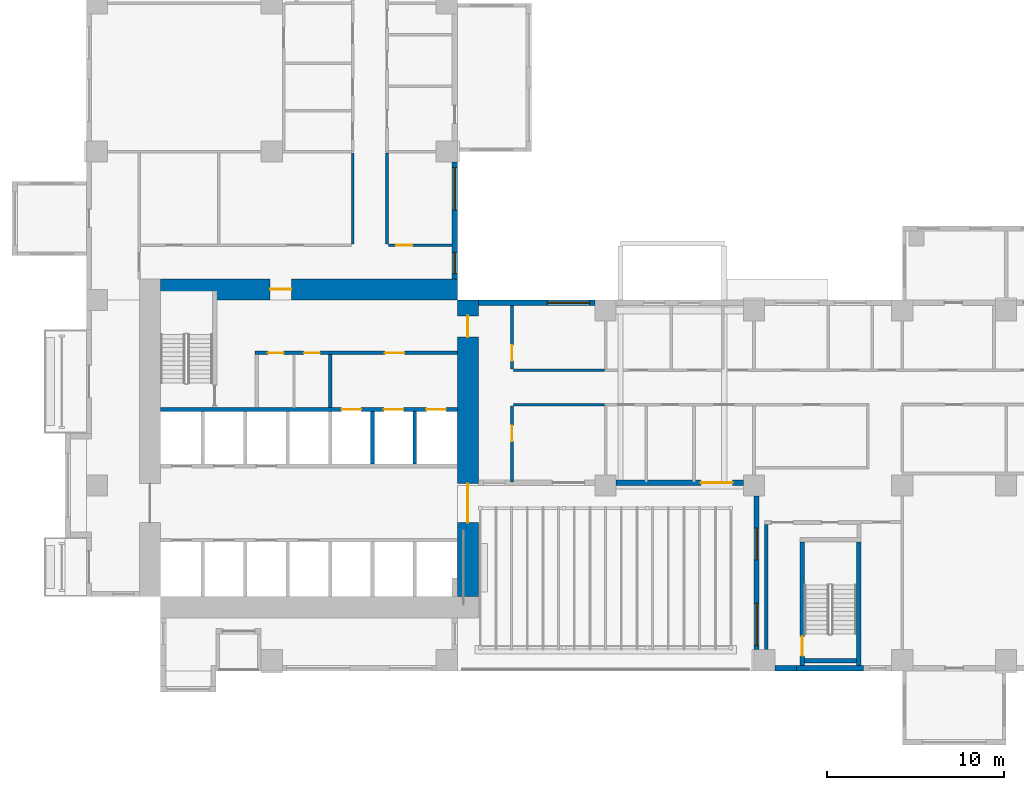
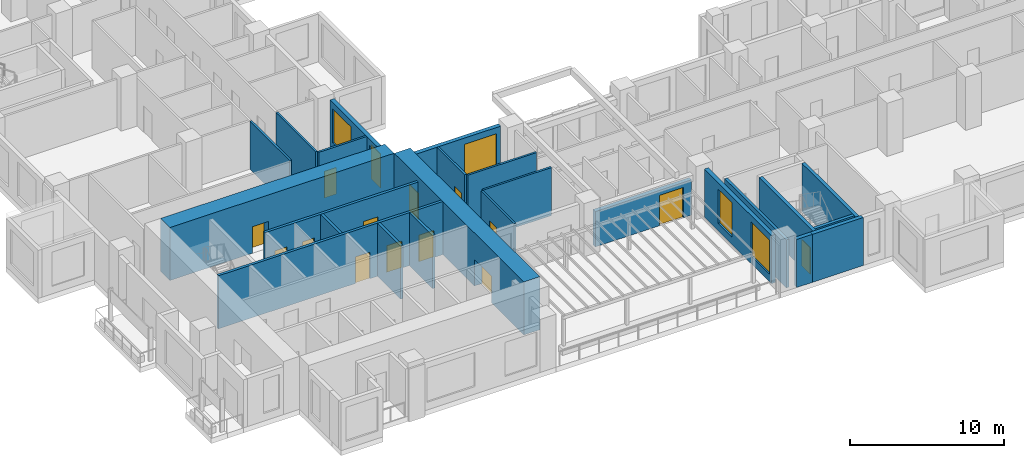
# One storey, part 5 of 17: 24 walls, 14 doors, 5 windows, 19 openings.
"""IFC4 building model written with IfcOpenShell, lengths in metres."""

from ifc_helpers import new_model, si_unit, direction, frame, frame_2d, origin, place, context, subcontext, project, spatial, rectangle, extrude, source, transform, mapped, material, layer, layer_set, type_object, element, fill, save


model = new_model("IFC4")

# Units and contexts
model_context = context("Model", 3, precision=1e-05, world=origin(), true_north=direction((0.0, 1.0)))
body_context = subcontext(model_context, "Body", "Model", "MODEL_VIEW")
ifc_project = project(units=[si_unit("LENGTHUNIT", "METRE"), si_unit("AREAUNIT", "SQUARE_METRE"), si_unit("VOLUMEUNIT", "CUBIC_METRE"), si_unit("PLANEANGLEUNIT", "RADIAN"), si_unit("MASSUNIT", "GRAM", prefix="KILO")], contexts=[model_context])

# Site, building, storey
site_placement = place(None, origin())
site = spatial("IfcSite", under=ifc_project, at=site_placement, CompositionType="ELEMENT")
building_placement = place(site_placement, origin())
building = spatial("IfcBuilding", under=site, at=building_placement, Name="Aurelian Terraces", CompositionType="ELEMENT")
storey_placement = place(building_placement, frame((0.0, 0.0, 48.9)))
storey = spatial("IfcBuildingStorey", under=building, at=storey_placement, Name="L09", CompositionType="ELEMENT", Elevation=48.9)

# Wall, opening, door
ifc_material_1 = material(Name="Terracotta rainscreen cladding", Category="masonry")
ifc_layer_1 = layer(ifc_material_1, 0.3)
ifc_layer_set_1 = layer_set([ifc_layer_1], Name="EW-300")
wall_type_1 = type_object("IfcWallType", Name="EW-300", PredefinedType="STANDARD", material=ifc_layer_set_1)
wall_1_placement = place(storey_placement, frame((30.0, 10.65, 0.0), z_axis=(0.0, 0.0, 1.0), x_axis=(1.0, 0.0, 0.0)))
wall_1 = element("IfcWall", 1, at=wall_1_placement, inside=storey, type_object=wall_type_1, Name="External wall L09 F03.7", PredefinedType="STANDARD", context=body_context, shape_type="SweptSolid", body=[
    extrude(rectangle(XDim=7.2, YDim=0.3, at=frame_2d((3.6, 0.0))), origin(), (0.0, 0.0, 1.0), 2.8),
])
shared_shape_1 = source(origin(), body_context, "Body", "SweptSolid", [
    extrude(rectangle(XDim=1.8, YDim=2.4, at=frame_2d((0.9, 1.2))), frame((0.0, 0.16, 0.0), z_axis=(0.0, -1.0, 0.0), x_axis=(1.0, 0.0, 0.0)), (0.0, 0.0, 1.0), 0.32),
])
opening_1_placement = place(wall_1_placement, frame((4.8, 0.0, 0.0)))
opening_1 = element("IfcOpeningElement", 2, at=opening_1_placement, cuts=wall_1, Name="Opening 80903", PredefinedType="OPENING", context=body_context, shape_type="MappedRepresentation", body=[
    mapped(shared_shape_1, transform((0.0, 0.0, 0.0), scale=1.0)),
])
ifc_material_2 = material(Name="Clear glazing", Category="glass")
door_type_1 = type_object("IfcDoorType", Name="BD-1800x2400", OperationType="SLIDING_TO_LEFT", PredefinedType="DOOR", material=ifc_material_2)
shared_shape_2 = source(origin(), body_context, "Body", "SweptSolid", [
    extrude(rectangle(XDim=1.8, YDim=2.4, at=frame_2d((0.9, 1.2))), frame((0.0, 0.025, 0.0), z_axis=(0.0, -1.0, 0.0), x_axis=(1.0, 0.0, 0.0)), (0.0, 0.0, 1.0), 0.05),
])
door_1_placement = place(opening_1_placement, origin())
door_1 = element("IfcDoor", 3, at=door_1_placement, inside=storey, type_object=door_type_1, Name="Terrace door L09 L09-F03-07.2", OperationType="SLIDING_TO_LEFT", OverallHeight=2.4, OverallWidth=1.8, PredefinedType="DOOR", context=body_context, shape_type="MappedRepresentation", body=[
    mapped(shared_shape_2, transform((0.0, 0.0, 0.0), scale=1.0)),
])
fill(opening_1, door_1)

ifc_material_3 = material(Name="Gypsum board on steel studs", Category="steel")
ifc_layer_2 = layer(ifc_material_3, 0.15)
ifc_layer_set_2 = layer_set([ifc_layer_2], Name="Partition 150")
wall_type_2 = type_object("IfcWallType", Name="Partition 150", PredefinedType="PARTITIONING", material=ifc_layer_set_2)
wall_2_placement = place(storey_placement, frame((24.1, 15.0, 0.0), z_axis=(0.0, 0.0, 1.0), x_axis=(0.0, -1.0, 0.0)))
wall_2 = element("IfcWall", 4, at=wall_2_placement, inside=storey, type_object=wall_type_2, Name="Partition", PredefinedType="PARTITIONING", context=body_context, shape_type="SweptSolid", body=[
    extrude(rectangle(XDim=4.295, YDim=0.15, at=frame_2d((2.1475, 0.0))), origin(), (0.0, 0.0, 1.0), 3.8),
])
shared_shape_3 = source(origin(), body_context, "Body", "SweptSolid", [
    extrude(rectangle(XDim=0.9, YDim=2.1, at=frame_2d((0.45, 1.05))), frame((0.0, 0.085, 0.0), z_axis=(0.0, -1.0, 0.0), x_axis=(1.0, 0.0, 0.0)), (0.0, 0.0, 1.0), 0.17),
])
opening_2_placement = place(wall_2_placement, frame((1.1125, 0.0, 0.0)))
opening_2 = element("IfcOpeningElement", 5, at=opening_2_placement, cuts=wall_2, Name="Opening 709001", PredefinedType="OPENING", context=body_context, shape_type="MappedRepresentation", body=[
    mapped(shared_shape_3, transform((0.0, 0.0, 0.0), scale=1.0)),
])
ifc_material_4 = material(Name="Timber door leaf", Category="wood")
door_type_2 = type_object("IfcDoorType", Name="Room door 900x2100 left", OperationType="SINGLE_SWING_LEFT", PredefinedType="DOOR", material=ifc_material_4)
shared_shape_4 = source(origin(), body_context, "Body", "SweptSolid", [
    extrude(rectangle(XDim=0.9, YDim=2.1, at=frame_2d((0.45, 1.05))), frame((0.0, 0.025, 0.0), z_axis=(0.0, -1.0, 0.0), x_axis=(1.0, 0.0, 0.0)), (0.0, 0.0, 1.0), 0.05),
])
door_2_placement = place(opening_2_placement, origin())
door_2 = element("IfcDoor", 6, at=door_2_placement, inside=storey, type_object=door_type_2, Name="Door 709001", OperationType="SINGLE_SWING_LEFT", OverallHeight=2.1, OverallWidth=0.9, PredefinedType="DOOR", context=body_context, shape_type="MappedRepresentation", body=[
    mapped(shared_shape_4, transform((0.0, 0.0, 0.0), scale=1.0)),
])
fill(opening_2, door_2)

# Wall, openings, doors
ifc_material_5 = material(Name="Concrete fc' 83 MPa", Category="concrete")
ifc_layer_3 = layer(ifc_material_5, 1.2)
ifc_layer_set_3 = layer_set([ifc_layer_3], Name="CORE WALL 1200 FC83")
wall_type_3 = type_object("IfcWallType", Name="CORE WALL 1200 FC83", PredefinedType="SHEAR", material=ifc_layer_set_3)
shared_shape_5 = source(origin(), body_context, "Body", "SweptSolid", [
    extrude(rectangle(XDim=16.8, YDim=1.2, at=frame_2d((8.4, 0.0))), origin(), (0.0, 0.0, 1.0), 4.2),
])
wall_3_placement = place(storey_placement, frame((21.6, 4.2, 0.0), z_axis=(0.0, 0.0, 1.0), x_axis=(0.0, 1.0, 0.0)))
wall_3 = element("IfcWall", 7, at=wall_3_placement, inside=storey, type_object=wall_type_3, Name="Core wall E L09", PredefinedType="SHEAR", context=body_context, shape_type="MappedRepresentation", body=[
    mapped(shared_shape_5, transform((0.0, 0.0, 0.0), scale=1.0)),
])
shared_shape_6 = source(origin(), body_context, "Body", "SweptSolid", [
    extrude(rectangle(XDim=2.2, YDim=2.1, at=frame_2d((1.1, 1.05))), frame((0.0, 0.61, 0.0), z_axis=(0.0, -1.0, 0.0), x_axis=(1.0, 0.0, 0.0)), (0.0, 0.0, 1.0), 1.22),
])
opening_3_placement = place(wall_3_placement, frame((4.2, 0.0, 0.0)))
opening_3 = element("IfcOpeningElement", 8, at=opening_3_placement, cuts=wall_3, Name="Opening 61220", PredefinedType="OPENING", context=body_context, shape_type="MappedRepresentation", body=[
    mapped(shared_shape_6, transform((0.0, 0.0, 0.0), scale=1.0)),
])
shared_shape_7 = source(origin(), body_context, "Body", "SweptSolid", [
    extrude(rectangle(XDim=1.2, YDim=2.1, at=frame_2d((0.6, 1.05))), frame((0.0, 0.61, 0.0), z_axis=(0.0, -1.0, 0.0), x_axis=(1.0, 0.0, 0.0)), (0.0, 0.0, 1.0), 1.22),
])
opening_4_placement = place(wall_3_placement, frame((14.7, 0.0, 0.0)))
opening_4 = element("IfcOpeningElement", 9, at=opening_4_placement, cuts=wall_3, Name="Opening 61223", PredefinedType="OPENING", context=body_context, shape_type="MappedRepresentation", body=[
    mapped(shared_shape_7, transform((0.0, 0.0, 0.0), scale=1.0)),
])
ifc_material_6 = material(Name="Steel door leaf", Category="steel")
door_type_3 = type_object("IfcDoorType", Name="Core fire door 1200x2100 right", OperationType="SINGLE_SWING_RIGHT", PredefinedType="DOOR", material=ifc_material_6)
shared_shape_8 = source(origin(), body_context, "Body", "SweptSolid", [
    extrude(rectangle(XDim=1.2, YDim=2.1, at=frame_2d((0.6, 1.05))), frame((0.0, 0.025, 0.0), z_axis=(0.0, -1.0, 0.0), x_axis=(1.0, 0.0, 0.0)), (0.0, 0.0, 1.0), 0.05),
])
door_3_placement = place(opening_4_placement, origin())
door_3 = element("IfcDoor", 10, at=door_3_placement, inside=storey, type_object=door_type_3, Name="Core door 61223", OperationType="SINGLE_SWING_RIGHT", OverallHeight=2.1, OverallWidth=1.2, PredefinedType="DOOR", context=body_context, shape_type="MappedRepresentation", body=[
    mapped(shared_shape_8, transform((0.0, 0.0, 0.0), scale=1.0)),
])
fill(opening_4, door_3)
door_type_4 = type_object("IfcDoorType", Name="Core double door 2200x2100", OperationType="DOUBLE_DOOR_SINGLE_SWING", PredefinedType="DOOR", material=ifc_material_6)
shared_shape_9 = source(origin(), body_context, "Body", "SweptSolid", [
    extrude(rectangle(XDim=2.2, YDim=2.1, at=frame_2d((1.1, 1.05))), frame((0.0, 0.025, 0.0), z_axis=(0.0, -1.0, 0.0), x_axis=(1.0, 0.0, 0.0)), (0.0, 0.0, 1.0), 0.05),
])
door_4_placement = place(opening_3_placement, origin())
door_4 = element("IfcDoor", 11, at=door_4_placement, inside=storey, type_object=door_type_4, Name="Core door 61220", OperationType="DOUBLE_DOOR_SINGLE_SWING", OverallHeight=2.1, OverallWidth=2.2, PredefinedType="DOOR", context=body_context, shape_type="MappedRepresentation", body=[
    mapped(shared_shape_9, transform((0.0, 0.0, 0.0), scale=1.0)),
])
fill(opening_3, door_4)

# Wall, opening, door
wall_4_placement = place(storey_placement, frame((4.2, 21.6, 0.0), z_axis=(0.0, 0.0, 1.0), x_axis=(1.0, 0.0, 0.0)))
wall_4 = element("IfcWall", 12, at=wall_4_placement, inside=storey, type_object=wall_type_3, Name="Core wall N L09", PredefinedType="SHEAR", context=body_context, shape_type="MappedRepresentation", body=[
    mapped(shared_shape_5, transform((0.0, 0.0, 0.0), scale=1.0)),
])
opening_5_placement = place(wall_4_placement, frame((6.2, 0.0, 0.0)))
opening_5 = element("IfcOpeningElement", 13, at=opening_5_placement, cuts=wall_4, Name="Opening 61222", PredefinedType="OPENING", context=body_context, shape_type="MappedRepresentation", body=[
    mapped(shared_shape_7, transform((0.0, 0.0, 0.0), scale=1.0)),
])
door_type_5 = type_object("IfcDoorType", Name="Core fire door 1200x2100", OperationType="SINGLE_SWING_LEFT", PredefinedType="DOOR", material=ifc_material_6)
door_5_placement = place(opening_5_placement, origin())
door_5 = element("IfcDoor", 14, at=door_5_placement, inside=storey, type_object=door_type_5, Name="Core door 61222", OperationType="SINGLE_SWING_LEFT", OverallHeight=2.1, OverallWidth=1.2, PredefinedType="DOOR", context=body_context, shape_type="MappedRepresentation", body=[
    mapped(shared_shape_8, transform((0.0, 0.0, 0.0), scale=1.0)),
])
fill(opening_5, door_5)

# Walls
shared_shape_10 = source(origin(), body_context, "Body", "SweptSolid", [
    extrude(rectangle(XDim=1.2, YDim=0.3, at=frame_2d((0.6, 0.0))), origin(), (0.0, 0.0, 1.0), 3.8),
])
wall_5_placement = place(storey_placement, frame((39.0, 0.15, 0.0), z_axis=(0.0, 0.0, 1.0), x_axis=(1.0, 0.0, 0.0)))
element("IfcWall", 15, at=wall_5_placement, inside=storey, type_object=wall_type_1, Name="External wall L09 F05.9", PredefinedType="STANDARD", context=body_context, shape_type="MappedRepresentation", body=[
    mapped(shared_shape_10, transform((0.0, 0.0, 0.0), scale=1.0)),
])
ifc_material_7 = material(Name="Concrete fc' 40 MPa", Category="concrete")
ifc_layer_4 = layer(ifc_material_7, 0.3)
ifc_layer_set_4 = layer_set([ifc_layer_4], Name="STAIR BAY WALL 300")
wall_type_4 = type_object("IfcWallType", Name="STAIR BAY WALL 300", PredefinedType="SOLIDWALL", material=ifc_layer_set_4)
shared_shape_11 = source(origin(), body_context, "Body", "SweptSolid", [
    extrude(rectangle(XDim=3.8, YDim=0.3, at=frame_2d((1.9, 0.0))), origin(), (0.0, 0.0, 1.0), 3.8),
])
wall_6_placement = place(storey_placement, frame((40.2, 0.15, 0.0), z_axis=(0.0, 0.0, 1.0), x_axis=(1.0, 0.0, 0.0)))
element("IfcWall", 16, at=wall_6_placement, inside=storey, type_object=wall_type_4, Name="Stair bay wall L09 F05.9", PredefinedType="SOLIDWALL", context=body_context, shape_type="MappedRepresentation", body=[
    mapped(shared_shape_11, transform((0.0, 0.0, 0.0), scale=1.0)),
])

# Wall, opening, window
shared_shape_12 = source(origin(), body_context, "Body", "SweptSolid", [
    extrude(rectangle(XDim=6.6, YDim=0.3, at=frame_2d((3.3, 0.0))), origin(), (0.0, 0.0, 1.0), 3.8),
])
wall_7_placement = place(storey_placement, frame((28.8, 20.85, 0.0), z_axis=(0.0, 0.0, 1.0), x_axis=(-1.0, 0.0, 0.0)))
wall_7 = element("IfcWall", 17, at=wall_7_placement, inside=storey, type_object=wall_type_1, Name="External wall L09 F11.25", PredefinedType="STANDARD", context=body_context, shape_type="MappedRepresentation", body=[
    mapped(shared_shape_12, transform((0.0, 0.0, 0.0), scale=1.0)),
])
shared_shape_13 = source(origin(), body_context, "Body", "SweptSolid", [
    extrude(rectangle(XDim=2.4, YDim=2.7, at=frame_2d((1.2, 1.35))), frame((0.0, 0.16, 0.0), z_axis=(0.0, -1.0, 0.0), x_axis=(1.0, 0.0, 0.0)), (0.0, 0.0, 1.0), 0.32),
])
opening_6_placement = place(wall_7_placement, frame((0.3, 0.0, 0.6)))
opening_6 = element("IfcOpeningElement", 18, at=opening_6_placement, cuts=wall_7, Name="Opening W2427", PredefinedType="OPENING", context=body_context, shape_type="MappedRepresentation", body=[
    mapped(shared_shape_13, transform((0.0, 0.0, 0.0), scale=1.0)),
])
window_type_1 = type_object("IfcWindowType", Name="W-2400x2700", PartitioningType="SINGLE_PANEL", PredefinedType="WINDOW", material=ifc_material_2)
shared_shape_14 = source(origin(), body_context, "Body", "SweptSolid", [
    extrude(rectangle(XDim=2.4, YDim=2.7, at=frame_2d((1.2, 1.35))), frame((0.0, 0.03, 0.0), z_axis=(0.0, -1.0, 0.0), x_axis=(1.0, 0.0, 0.0)), (0.0, 0.0, 1.0), 0.06),
])
window_1_placement = place(opening_6_placement, origin())
window_1 = element("IfcWindow", 19, at=window_1_placement, inside=storey, type_object=window_type_1, Name="Window L09 L09-F11-25-3", OverallHeight=2.7, OverallWidth=2.4, PartitioningType="SINGLE_PANEL", PredefinedType="WINDOW", context=body_context, shape_type="MappedRepresentation", body=[
    mapped(shared_shape_14, transform((0.0, 0.0, 0.0), scale=1.0)),
])
fill(opening_6, window_1)

# Wall, openings, windows
wall_8_placement = place(storey_placement, frame((20.85, 22.2, 0.0), z_axis=(0.0, 0.0, 1.0), x_axis=(0.0, 1.0, 0.0)))
wall_8 = element("IfcWall", 20, at=wall_8_placement, inside=storey, type_object=wall_type_1, Name="External wall L09 F12.26", PredefinedType="STANDARD", context=body_context, shape_type="MappedRepresentation", body=[
    mapped(shared_shape_12, transform((0.0, 0.0, 0.0), scale=1.0)),
])
shared_shape_15 = source(origin(), body_context, "Body", "SweptSolid", [
    extrude(rectangle(XDim=1.2, YDim=2.7, at=frame_2d((0.6, 1.35))), frame((0.0, 0.16, 0.0), z_axis=(0.0, -1.0, 0.0), x_axis=(1.0, 0.0, 0.0)), (0.0, 0.0, 1.0), 0.32),
])
opening_7_placement = place(wall_8_placement, frame((0.3, 0.0, 0.6)))
opening_7 = element("IfcOpeningElement", 21, at=opening_7_placement, cuts=wall_8, Name="Opening W1227", PredefinedType="OPENING", context=body_context, shape_type="MappedRepresentation", body=[
    mapped(shared_shape_15, transform((0.0, 0.0, 0.0), scale=1.0)),
])
opening_8_placement = place(wall_8_placement, frame((3.9, 0.0, 0.6)))
opening_8 = element("IfcOpeningElement", 22, at=opening_8_placement, cuts=wall_8, Name="Opening W2427", PredefinedType="OPENING", context=body_context, shape_type="MappedRepresentation", body=[
    mapped(shared_shape_13, transform((0.0, 0.0, 0.0), scale=1.0)),
])
window_2_placement = place(opening_8_placement, origin())
window_2 = element("IfcWindow", 23, at=window_2_placement, inside=storey, type_object=window_type_1, Name="Window L09 L09-F12-26-1", OverallHeight=2.7, OverallWidth=2.4, PartitioningType="SINGLE_PANEL", PredefinedType="WINDOW", context=body_context, shape_type="MappedRepresentation", body=[
    mapped(shared_shape_14, transform((0.0, 0.0, 0.0), scale=1.0)),
])
fill(opening_8, window_2)
window_type_2 = type_object("IfcWindowType", Name="W-1200x2700", PartitioningType="SINGLE_PANEL", PredefinedType="WINDOW", material=ifc_material_2)
shared_shape_16 = source(origin(), body_context, "Body", "SweptSolid", [
    extrude(rectangle(XDim=1.2, YDim=2.7, at=frame_2d((0.6, 1.35))), frame((0.0, 0.03, 0.0), z_axis=(0.0, -1.0, 0.0), x_axis=(1.0, 0.0, 0.0)), (0.0, 0.0, 1.0), 0.06),
])
window_3_placement = place(opening_7_placement, origin())
window_3 = element("IfcWindow", 24, at=window_3_placement, inside=storey, type_object=window_type_2, Name="Window L09 L09-F12-26-0", OverallHeight=2.7, OverallWidth=1.2, PartitioningType="SINGLE_PANEL", PredefinedType="WINDOW", context=body_context, shape_type="MappedRepresentation", body=[
    mapped(shared_shape_16, transform((0.0, 0.0, 0.0), scale=1.0)),
])
fill(opening_7, window_3)

shared_shape_17 = source(origin(), body_context, "Body", "SweptSolid", [
    extrude(rectangle(XDim=8.7, YDim=0.3, at=frame_2d((4.35, 0.0))), origin(), (0.0, 0.0, 1.0), 3.8),
])
wall_9_placement = place(storey_placement, frame((37.95, 9.9, 0.0), z_axis=(0.0, 0.0, 1.0), x_axis=(0.0, -1.0, 0.0)))
wall_9 = element("IfcWall", 25, at=wall_9_placement, inside=storey, type_object=wall_type_1, Name="External wall L09 F04.8", PredefinedType="STANDARD", context=body_context, shape_type="MappedRepresentation", body=[
    mapped(shared_shape_17, transform((0.0, 0.0, 0.0), scale=1.0)),
])
shared_shape_18 = source(origin(), body_context, "Body", "SweptSolid", [
    extrude(rectangle(XDim=1.8, YDim=2.7, at=frame_2d((0.9, 1.35))), frame((0.0, 0.16, 0.0), z_axis=(0.0, -1.0, 0.0), x_axis=(1.0, 0.0, 0.0)), (0.0, 0.0, 1.0), 0.32),
])
opening_9_placement = place(wall_9_placement, frame((1.8125, 0.0, 0.6)))
opening_9 = element("IfcOpeningElement", 26, at=opening_9_placement, cuts=wall_9, Name="Opening W1827", PredefinedType="OPENING", context=body_context, shape_type="MappedRepresentation", body=[
    mapped(shared_shape_18, transform((0.0, 0.0, 0.0), scale=1.0)),
])
opening_10_placement = place(wall_9_placement, frame((6.075, 0.0, 0.6)))
opening_10 = element("IfcOpeningElement", 27, at=opening_10_placement, cuts=wall_9, Name="Opening W2427", PredefinedType="OPENING", context=body_context, shape_type="MappedRepresentation", body=[
    mapped(shared_shape_13, transform((0.0, 0.0, 0.0), scale=1.0)),
])
window_4_placement = place(opening_10_placement, origin())
window_4 = element("IfcWindow", 28, at=window_4_placement, inside=storey, type_object=window_type_1, Name="Window L09 L09-F04-08-1", OverallHeight=2.7, OverallWidth=2.4, PartitioningType="SINGLE_PANEL", PredefinedType="WINDOW", context=body_context, shape_type="MappedRepresentation", body=[
    mapped(shared_shape_14, transform((0.0, 0.0, 0.0), scale=1.0)),
])
fill(opening_10, window_4)
window_type_3 = type_object("IfcWindowType", Name="W-1800x2700", PartitioningType="SINGLE_PANEL", PredefinedType="WINDOW", material=ifc_material_2)
shared_shape_19 = source(origin(), body_context, "Body", "SweptSolid", [
    extrude(rectangle(XDim=1.8, YDim=2.7, at=frame_2d((0.9, 1.35))), frame((0.0, 0.03, 0.0), z_axis=(0.0, -1.0, 0.0), x_axis=(1.0, 0.0, 0.0)), (0.0, 0.0, 1.0), 0.06),
])
window_5_placement = place(opening_9_placement, origin())
window_5 = element("IfcWindow", 29, at=window_5_placement, inside=storey, type_object=window_type_3, Name="Window L09 L09-F04-08-0", OverallHeight=2.7, OverallWidth=1.8, PartitioningType="SINGLE_PANEL", PredefinedType="WINDOW", context=body_context, shape_type="MappedRepresentation", body=[
    mapped(shared_shape_19, transform((0.0, 0.0, 0.0), scale=1.0)),
])
fill(opening_9, window_5)

# Walls
ifc_layer_5 = layer(ifc_material_7, 0.2)
ifc_layer_set_5 = layer_set([ifc_layer_5], Name="Lift shaft wall 200")
wall_type_5 = type_object("IfcWallType", Name="Lift shaft wall 200", PredefinedType="SOLIDWALL", material=ifc_layer_set_5)
shared_shape_20 = source(origin(), body_context, "Body", "SweptSolid", [
    extrude(rectangle(XDim=3.0, YDim=0.2, at=frame_2d((1.5, 0.0))), origin(), (0.0, 0.0, 1.0), 4.2),
])
for number, where, z_axis, x_axis, name in (
    (30, (16.2, 11.7, 0.0), (0.0, 0.0, 1.0), (0.0, 1.0, 0.0), "L09 core wall CD-B5"),
    (31, (18.6, 11.7, 0.0), (0.0, 0.0, 1.0), (0.0, 1.0, 0.0), "L09 core wall CD-B6"),
):
    element("IfcWall", number, at=place(storey_placement, frame(where, z_axis=z_axis, x_axis=x_axis)), inside=storey, type_object=wall_type_5, Name=name, PredefinedType="SOLIDWALL", context=body_context, shape_type="MappedRepresentation", body=[
        mapped(shared_shape_20, transform((0.0, 0.0, 0.0), scale=1.0)),
    ])

# Wall, openings, doors
shared_shape_21 = source(origin(), body_context, "Body", "SweptSolid", [
    extrude(rectangle(XDim=16.8, YDim=0.2, at=frame_2d((8.4, 0.0))), origin(), (0.0, 0.0, 1.0), 4.2),
])
wall_10_placement = place(storey_placement, frame((4.2, 14.8, 0.0), z_axis=(0.0, 0.0, 1.0), x_axis=(1.0, 0.0, 0.0)))
wall_10 = element("IfcWall", 32, at=wall_10_placement, inside=storey, type_object=wall_type_5, Name="L09 core wall CF-BB1", PredefinedType="SOLIDWALL", context=body_context, shape_type="MappedRepresentation", body=[
    mapped(shared_shape_21, transform((0.0, 0.0, 0.0), scale=1.0)),
])
shared_shape_22 = source(origin(), body_context, "Body", "SweptSolid", [
    extrude(rectangle(XDim=1.1, YDim=2.1, at=frame_2d((0.55, 1.05))), frame((0.0, 0.11, 0.0), z_axis=(0.0, -1.0, 0.0), x_axis=(1.0, 0.0, 0.0)), (0.0, 0.0, 1.0), 0.22),
])
opening_11_placement = place(wall_10_placement, frame((10.25, 0.0, 0.0)))
opening_11 = element("IfcOpeningElement", 33, at=opening_11_placement, cuts=wall_10, Name="Opening 61207", PredefinedType="OPENING", context=body_context, shape_type="MappedRepresentation", body=[
    mapped(shared_shape_22, transform((0.0, 0.0, 0.0), scale=1.0)),
])
opening_12_placement = place(wall_10_placement, frame((12.65, 0.0, 0.0)))
opening_12 = element("IfcOpeningElement", 34, at=opening_12_placement, cuts=wall_10, Name="Opening 61208", PredefinedType="OPENING", context=body_context, shape_type="MappedRepresentation", body=[
    mapped(shared_shape_22, transform((0.0, 0.0, 0.0), scale=1.0)),
])
opening_13_placement = place(wall_10_placement, frame((15.05, 0.0, 0.0)))
opening_13 = element("IfcOpeningElement", 35, at=opening_13_placement, cuts=wall_10, Name="Opening 61209", PredefinedType="OPENING", context=body_context, shape_type="MappedRepresentation", body=[
    mapped(shared_shape_22, transform((0.0, 0.0, 0.0), scale=1.0)),
])
ifc_material_8 = material(Name="Stainless steel", Category="steel")
door_type_6 = type_object("IfcDoorType", Name="Lift landing door 1100x2100", OperationType="SLIDING_TO_LEFT", PredefinedType="DOOR", material=ifc_material_8)
shared_shape_23 = source(origin(), body_context, "Body", "SweptSolid", [
    extrude(rectangle(XDim=1.1, YDim=2.1, at=frame_2d((0.55, 1.05))), frame((0.0, 0.025, 0.0), z_axis=(0.0, -1.0, 0.0), x_axis=(1.0, 0.0, 0.0)), (0.0, 0.0, 1.0), 0.05),
])
door_6_placement = place(opening_11_placement, origin())
door_6 = element("IfcDoor", 36, at=door_6_placement, inside=storey, type_object=door_type_6, Name="Lift landing door F1 L09", OperationType="SLIDING_TO_LEFT", OverallHeight=2.1, OverallWidth=1.1, PredefinedType="DOOR", context=body_context, shape_type="MappedRepresentation", body=[
    mapped(shared_shape_23, transform((0.0, 0.0, 0.0), scale=1.0)),
])
fill(opening_11, door_6)
door_7_placement = place(opening_12_placement, origin())
door_7 = element("IfcDoor", 37, at=door_7_placement, inside=storey, type_object=door_type_6, Name="Lift landing door F2 L09", OperationType="SLIDING_TO_LEFT", OverallHeight=2.1, OverallWidth=1.1, PredefinedType="DOOR", context=body_context, shape_type="MappedRepresentation", body=[
    mapped(shared_shape_23, transform((0.0, 0.0, 0.0), scale=1.0)),
])
fill(opening_12, door_7)
door_8_placement = place(opening_13_placement, origin())
door_8 = element("IfcDoor", 38, at=door_8_placement, inside=storey, type_object=door_type_6, Name="Lift landing door F3 L09", OperationType="SLIDING_TO_LEFT", OverallHeight=2.1, OverallWidth=1.1, PredefinedType="DOOR", context=body_context, shape_type="MappedRepresentation", body=[
    mapped(shared_shape_23, transform((0.0, 0.0, 0.0), scale=1.0)),
])
fill(opening_13, door_8)

# Wall
ifc_layer_6 = layer(ifc_material_3, 0.2)
ifc_layer_set_6 = layer_set([ifc_layer_6], Name="Core partition 200")
wall_type_6 = type_object("IfcWallType", Name="Core partition 200", PredefinedType="PARTITIONING", material=ifc_layer_set_6)
shared_shape_24 = source(origin(), body_context, "Body", "SweptSolid", [
    extrude(rectangle(XDim=3.0, YDim=0.2, at=frame_2d((1.5, 0.0))), origin(), (0.0, 0.0, 1.0), 3.8),
])
wall_11_placement = place(storey_placement, frame((13.8, 14.9, 0.0), z_axis=(0.0, 0.0, 1.0), x_axis=(0.0, 1.0, 0.0)))
element("IfcWall", 39, at=wall_11_placement, inside=storey, type_object=wall_type_6, Name="L09 core wall CP-FFL", PredefinedType="PARTITIONING", context=body_context, shape_type="MappedRepresentation", body=[
    mapped(shared_shape_24, transform((0.0, 0.0, 0.0), scale=1.0)),
])

# Wall, opening, door
ifc_layer_7 = layer(ifc_material_7, 0.25)
ifc_layer_set_7 = layer_set([ifc_layer_7], Name="Stair enclosure wall 250")
wall_type_7 = type_object("IfcWallType", Name="Stair enclosure wall 250", PredefinedType="SOLIDWALL", material=ifc_layer_set_7)
shared_shape_25 = source(origin(), body_context, "Body", "SweptSolid", [
    extrude(rectangle(XDim=7.0, YDim=0.25, at=frame_2d((3.5, 0.0))), origin(), (0.0, 0.0, 1.0), 3.8),
])
wall_12_placement = place(storey_placement, frame((40.525, 0.3, 0.0), z_axis=(0.0, 0.0, 1.0), x_axis=(0.0, 1.0, 0.0)))
wall_12 = element("IfcWall", 40, at=wall_12_placement, inside=storey, type_object=wall_type_7, Name="L09 core wall ST-S2-W", PredefinedType="SOLIDWALL", context=body_context, shape_type="MappedRepresentation", body=[
    mapped(shared_shape_25, transform((0.0, 0.0, 0.0), scale=1.0)),
])
shared_shape_26 = source(origin(), body_context, "Body", "SweptSolid", [
    extrude(rectangle(XDim=1.1, YDim=2.1, at=frame_2d((0.55, 1.05))), frame((0.0, 0.135, 0.0), z_axis=(0.0, -1.0, 0.0), x_axis=(1.0, 0.0, 0.0)), (0.0, 0.0, 1.0), 0.27),
])
opening_14_placement = place(wall_12_placement, frame((0.55, 0.0, 0.0)))
opening_14 = element("IfcOpeningElement", 41, at=opening_14_placement, cuts=wall_12, Name="Opening 61214", PredefinedType="OPENING", context=body_context, shape_type="MappedRepresentation", body=[
    mapped(shared_shape_26, transform((0.0, 0.0, 0.0), scale=1.0)),
])
door_type_7 = type_object("IfcDoorType", Name="Core fire door 1100x2100", OperationType="SINGLE_SWING_LEFT", PredefinedType="DOOR", material=ifc_material_6)
door_9_placement = place(opening_14_placement, origin())
door_9 = element("IfcDoor", 42, at=door_9_placement, inside=storey, type_object=door_type_7, Name="Stair door 61214", OperationType="SINGLE_SWING_LEFT", OverallHeight=2.1, OverallWidth=1.1, PredefinedType="DOOR", context=body_context, shape_type="MappedRepresentation", body=[
    mapped(shared_shape_23, transform((0.0, 0.0, 0.0), scale=1.0)),
])
fill(opening_14, door_9)

# Walls
wall_13_placement = place(storey_placement, frame((43.725, 0.3, 0.0), z_axis=(0.0, 0.0, 1.0), x_axis=(0.0, 1.0, 0.0)))
element("IfcWall", 43, at=wall_13_placement, inside=storey, type_object=wall_type_7, Name="L09 core wall ST-S2-E", PredefinedType="SOLIDWALL", context=body_context, shape_type="MappedRepresentation", body=[
    mapped(shared_shape_25, transform((0.0, 0.0, 0.0), scale=1.0)),
])
shared_shape_27 = source(origin(), body_context, "Body", "SweptSolid", [
    extrude(rectangle(XDim=2.95, YDim=0.25, at=frame_2d((1.475, 0.0))), origin(), (0.0, 0.0, 1.0), 3.8),
])
wall_14_placement = place(storey_placement, frame((40.65, 0.575, 0.0), z_axis=(0.0, 0.0, 1.0), x_axis=(1.0, 0.0, 0.0)))
element("IfcWall", 44, at=wall_14_placement, inside=storey, type_object=wall_type_7, Name="L09 core wall ST-S2-SS", PredefinedType="SOLIDWALL", context=body_context, shape_type="MappedRepresentation", body=[
    mapped(shared_shape_27, transform((0.0, 0.0, 0.0), scale=1.0)),
])
shared_shape_28 = source(origin(), body_context, "Body", "SweptSolid", [
    extrude(rectangle(XDim=8.0, YDim=0.2, at=frame_2d((4.0, 0.0))), origin(), (0.0, 0.0, 1.0), 3.8),
])
wall_15_placement = place(storey_placement, frame((38.5, 0.3, 0.0), z_axis=(0.0, 0.0, 1.0), x_axis=(0.0, 1.0, 0.0)))
element("IfcWall", 45, at=wall_15_placement, inside=storey, type_object=wall_type_6, Name="L09 core wall ST-S2-VW", PredefinedType="PARTITIONING", context=body_context, shape_type="MappedRepresentation", body=[
    mapped(shared_shape_28, transform((0.0, 0.0, 0.0), scale=1.0)),
])

# Wall, openings, doors
shared_shape_29 = source(origin(), body_context, "Body", "SweptSolid", [
    extrude(rectangle(XDim=11.45, YDim=0.2, at=frame_2d((5.725, 0.0))), origin(), (0.0, 0.0, 1.0), 3.8),
])
wall_16_placement = place(storey_placement, frame((9.55, 18.0, 0.0), z_axis=(0.0, 0.0, 1.0), x_axis=(1.0, 0.0, 0.0)))
wall_16 = element("IfcWall", 46, at=wall_16_placement, inside=storey, type_object=wall_type_6, Name="L09 core wall CP-NORTH", PredefinedType="PARTITIONING", context=body_context, shape_type="MappedRepresentation", body=[
    mapped(shared_shape_29, transform((0.0, 0.0, 0.0), scale=1.0)),
])
shared_shape_30 = source(origin(), body_context, "Body", "SweptSolid", [
    extrude(rectangle(XDim=0.9, YDim=2.1, at=frame_2d((0.45, 1.05))), frame((0.0, 0.11, 0.0), z_axis=(0.0, -1.0, 0.0), x_axis=(1.0, 0.0, 0.0)), (0.0, 0.0, 1.0), 0.22),
])
opening_15_placement = place(wall_16_placement, frame((0.725, 0.0, 0.0)))
opening_15 = element("IfcOpeningElement", 47, at=opening_15_placement, cuts=wall_16, Name="Opening 61211", PredefinedType="OPENING", context=body_context, shape_type="MappedRepresentation", body=[
    mapped(shared_shape_30, transform((0.0, 0.0, 0.0), scale=1.0)),
])
opening_16_placement = place(wall_16_placement, frame((2.775, 0.0, 0.0)))
opening_16 = element("IfcOpeningElement", 48, at=opening_16_placement, cuts=wall_16, Name="Opening 61212", PredefinedType="OPENING", context=body_context, shape_type="MappedRepresentation", body=[
    mapped(shared_shape_30, transform((0.0, 0.0, 0.0), scale=1.0)),
])
opening_17_placement = place(wall_16_placement, frame((7.35, 0.0, 0.0)))
opening_17 = element("IfcOpeningElement", 49, at=opening_17_placement, cuts=wall_16, Name="Opening 61213", PredefinedType="OPENING", context=body_context, shape_type="MappedRepresentation", body=[
    mapped(shared_shape_22, transform((0.0, 0.0, 0.0), scale=1.0)),
])
door_type_8 = type_object("IfcDoorType", Name="Core service door 900x2100 right", OperationType="SINGLE_SWING_RIGHT", PredefinedType="DOOR", material=ifc_material_6)
door_10_placement = place(opening_15_placement, origin())
door_10 = element("IfcDoor", 50, at=door_10_placement, inside=storey, type_object=door_type_8, Name="Room door 61211", OperationType="SINGLE_SWING_RIGHT", OverallHeight=2.1, OverallWidth=0.9, PredefinedType="DOOR", context=body_context, shape_type="MappedRepresentation", body=[
    mapped(shared_shape_4, transform((0.0, 0.0, 0.0), scale=1.0)),
])
fill(opening_15, door_10)
door_type_9 = type_object("IfcDoorType", Name="Core service door 900x2100", OperationType="SINGLE_SWING_LEFT", PredefinedType="DOOR", material=ifc_material_6)
door_11_placement = place(opening_16_placement, origin())
door_11 = element("IfcDoor", 51, at=door_11_placement, inside=storey, type_object=door_type_9, Name="Room door 61212", OperationType="SINGLE_SWING_LEFT", OverallHeight=2.1, OverallWidth=0.9, PredefinedType="DOOR", context=body_context, shape_type="MappedRepresentation", body=[
    mapped(shared_shape_4, transform((0.0, 0.0, 0.0), scale=1.0)),
])
fill(opening_16, door_11)
door_type_10 = type_object("IfcDoorType", Name="Core fire door 1100x2100 right", OperationType="SINGLE_SWING_RIGHT", PredefinedType="DOOR", material=ifc_material_6)
door_12_placement = place(opening_17_placement, origin())
door_12 = element("IfcDoor", 52, at=door_12_placement, inside=storey, type_object=door_type_10, Name="Ff lobby door 61213", OperationType="SINGLE_SWING_RIGHT", OverallHeight=2.1, OverallWidth=1.1, PredefinedType="DOOR", context=body_context, shape_type="MappedRepresentation", body=[
    mapped(shared_shape_23, transform((0.0, 0.0, 0.0), scale=1.0)),
])
fill(opening_17, door_12)

# Walls
ifc_layer_8 = layer(ifc_material_3, 0.15)
ifc_layer_set_8 = layer_set([ifc_layer_8], Name="Fire partition 150")
wall_type_8 = type_object("IfcWallType", Name="Fire partition 150", PredefinedType="PARTITIONING", material=ifc_layer_set_8)
shared_shape_31 = source(origin(), body_context, "Body", "SweptSolid", [
    extrude(rectangle(XDim=5.15, YDim=0.15, at=frame_2d((2.575, 0.0))), origin(), (0.0, 0.0, 1.0), 3.8),
])
for number, where, z_axis, x_axis, name in (
    (53, (29.325, 15.075, 0.0), (0.0, 0.0, 1.0), (-1.0, 0.0, 0.0), "Corridor wall"),
    (54, (24.175, 17.025, 0.0), (0.0, 0.0, 1.0), (1.0, 0.0, 0.0), "Corridor wall"),
    (55, (15.075, 24.175, 0.0), (0.0, 0.0, 1.0), (0.0, 1.0, 0.0), "Corridor wall"),
    (56, (17.025, 29.325, 0.0), (0.0, 0.0, 1.0), (0.0, -1.0, 0.0), "Corridor wall"),
):
    element("IfcWall", number, at=place(storey_placement, frame(where, z_axis=z_axis, x_axis=x_axis)), inside=storey, type_object=wall_type_8, Name=name, PredefinedType="PARTITIONING", context=body_context, shape_type="MappedRepresentation", body=[
        mapped(shared_shape_31, transform((0.0, 0.0, 0.0), scale=1.0)),
    ])

# Wall, opening, door
shared_shape_32 = source(origin(), body_context, "Body", "SweptSolid", [
    extrude(rectangle(XDim=3.6, YDim=0.15, at=frame_2d((1.8, 0.0))), origin(), (0.0, 0.0, 1.0), 3.8),
])
wall_17_placement = place(storey_placement, frame((24.1, 20.7, 0.0), z_axis=(0.0, 0.0, 1.0), x_axis=(0.0, -1.0, 0.0)))
wall_17 = element("IfcWall", 57, at=wall_17_placement, inside=storey, type_object=wall_type_2, Name="Partition", PredefinedType="PARTITIONING", context=body_context, shape_type="MappedRepresentation", body=[
    mapped(shared_shape_32, transform((0.0, 0.0, 0.0), scale=1.0)),
])
opening_18_placement = place(wall_17_placement, frame((2.25, 0.0, 0.0)))
opening_18 = element("IfcOpeningElement", 58, at=opening_18_placement, cuts=wall_17, Name="Opening 709002", PredefinedType="OPENING", context=body_context, shape_type="MappedRepresentation", body=[
    mapped(shared_shape_3, transform((0.0, 0.0, 0.0), scale=1.0)),
])
door_type_11 = type_object("IfcDoorType", Name="Room door 900x2100 right", OperationType="SINGLE_SWING_RIGHT", PredefinedType="DOOR", material=ifc_material_4)
door_13_placement = place(opening_18_placement, origin())
door_13 = element("IfcDoor", 59, at=door_13_placement, inside=storey, type_object=door_type_11, Name="Door 709002", OperationType="SINGLE_SWING_RIGHT", OverallHeight=2.1, OverallWidth=0.9, PredefinedType="DOOR", context=body_context, shape_type="MappedRepresentation", body=[
    mapped(shared_shape_4, transform((0.0, 0.0, 0.0), scale=1.0)),
])
fill(opening_18, door_13)

wall_18_placement = place(storey_placement, frame((17.1, 24.1, 0.0), z_axis=(0.0, 0.0, 1.0), x_axis=(1.0, 0.0, 0.0)))
wall_18 = element("IfcWall", 60, at=wall_18_placement, inside=storey, type_object=wall_type_2, Name="Partition", PredefinedType="PARTITIONING", context=body_context, shape_type="MappedRepresentation", body=[
    mapped(shared_shape_32, transform((0.0, 0.0, 0.0), scale=1.0)),
])
opening_19_placement = place(wall_18_placement, frame((0.45, 0.0, 0.0)))
opening_19 = element("IfcOpeningElement", 61, at=opening_19_placement, cuts=wall_18, Name="Opening 709028", PredefinedType="OPENING", context=body_context, shape_type="MappedRepresentation", body=[
    mapped(shared_shape_3, transform((0.0, 0.0, 0.0), scale=1.0)),
])
door_14_placement = place(opening_19_placement, origin())
door_14 = element("IfcDoor", 62, at=door_14_placement, inside=storey, type_object=door_type_11, Name="Door 709028", OperationType="SINGLE_SWING_RIGHT", OverallHeight=2.1, OverallWidth=0.9, PredefinedType="DOOR", context=body_context, shape_type="MappedRepresentation", body=[
    mapped(shared_shape_4, transform((0.0, 0.0, 0.0), scale=1.0)),
])
fill(opening_19, door_14)

save(model, "model.ifc")
